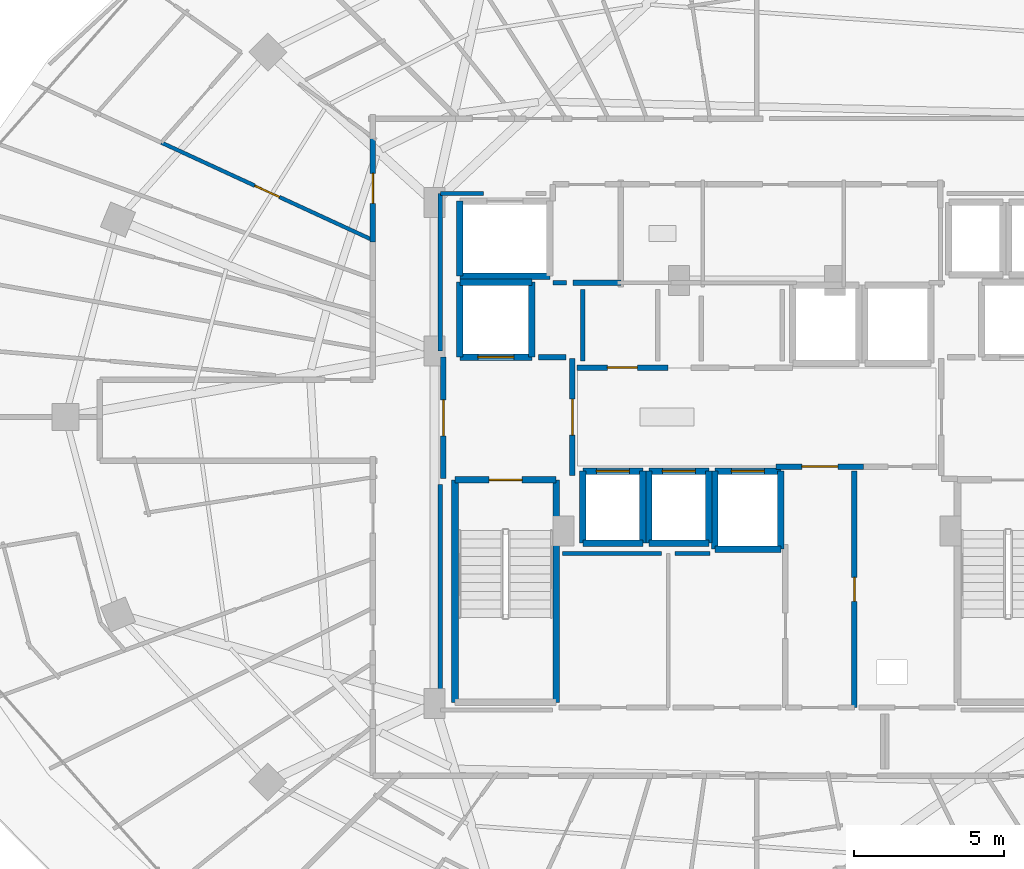
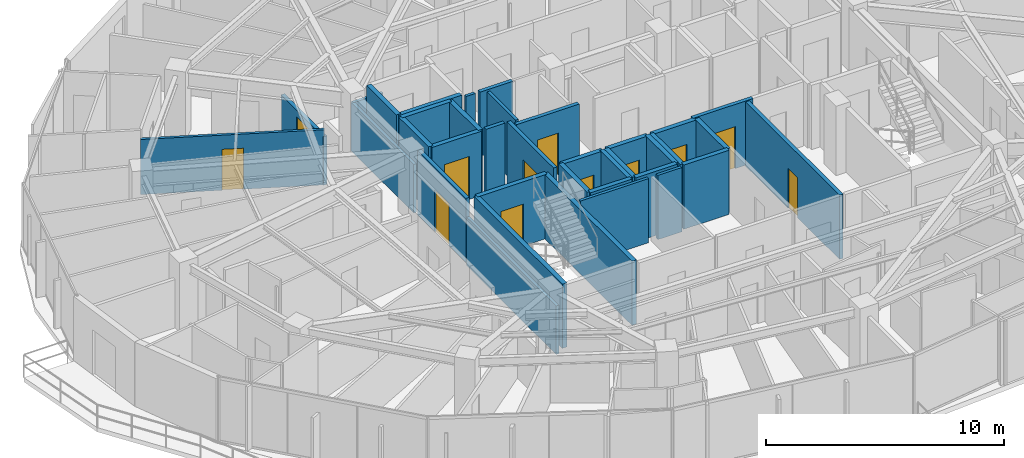
# One storey, part 26 of 33: 37 walls, 12 doors, 12 openings.
"""IFC4 building model written with IfcOpenShell, lengths in metres."""

from ifc_helpers import new_model, si_unit, direction, frame, frame_2d, origin, place, context, subcontext, project, spatial, rectangle, extrude, material, layer, layer_set, type_object, element, fill, save


model = new_model("IFC4")

# Units and contexts
model_context = context("Model", 3, precision=1e-05, world=origin(), true_north=direction((0.0, 1.0)))
body_context = subcontext(model_context, "Body", "Model", "MODEL_VIEW")
ifc_project = project(units=[si_unit("LENGTHUNIT", "METRE"), si_unit("AREAUNIT", "SQUARE_METRE"), si_unit("VOLUMEUNIT", "CUBIC_METRE"), si_unit("PLANEANGLEUNIT", "RADIAN"), si_unit("MASSUNIT", "GRAM", prefix="KILO")], contexts=[model_context])

# Site, building, storey
site_placement = place(None, origin())
site = spatial("IfcSite", under=ifc_project, at=site_placement, CompositionType="ELEMENT")
building_placement = place(site_placement, origin())
building = spatial("IfcBuilding", under=site, at=building_placement, Name="Vorneva Point Tower", CompositionType="ELEMENT")
storey_placement = place(building_placement, frame((0.0, 0.0, 203.64990234375)))
storey = spatial("IfcBuildingStorey", under=building, at=storey_placement, Name="L55", CompositionType="ELEMENT", Elevation=203.64990234375)

# Wall, opening, door
ifc_material_1 = material(Name="Concrete B60 (C50/60)", Category="concrete")
ifc_layer_1 = layer(ifc_material_1, 0.35009765625)
ifc_layer_set_1 = layer_set([ifc_layer_1], Name="Concrete B60 (C50/60)")
wall_type_1 = type_object("IfcWallType", Name="WL-CORE-350", PredefinedType="SHEAR", material=ifc_layer_set_1)
wall_1_placement = place(storey_placement, frame((28.10009765625, 28.0, 0.0), z_axis=(0.0, 0.0, 1.0), x_axis=(1.0, 0.0, 0.0)))
wall_1 = element("IfcWall", 1, at=wall_1_placement, inside=storey, type_object=wall_type_1, Name="L55 Lift FFL1 Shaft Wall -Y", PredefinedType="SHEAR", context=body_context, shape_type="SweptSolid", body=[
    extrude(rectangle(XDim=2.39990234375, YDim=0.219970703125, at=frame_2d((1.199951171875, 0.0))), origin(), (0.0, 0.0, 1.0), 3.2900390625),
])
opening_1_placement = place(wall_1_placement, frame((0.60009765625, 0.0, 0.0)))
opening_1 = element("IfcOpeningElement", 2, at=opening_1_placement, cuts=wall_1, Name="Opening LD-02", PredefinedType="OPENING", context=body_context, shape_type="SweptSolid", body=[
    extrude(rectangle(XDim=1.199951171875, YDim=2.199951171875, at=frame_2d((0.60009765625, 1.10009765625))), frame((0.0, 0.125, 0.0), z_axis=(0.0, -1.0, 0.0), x_axis=(1.0, 0.0, 0.0)), (0.0, 0.0, 1.0), 0.249755859375),
])
ifc_material_2 = material(Name="Brushed stainless steel S304", Category="steel")
door_type_1 = type_object("IfcDoorType", Name="LD-FIRE-1200", OperationType="SLIDING_TO_LEFT", PredefinedType="DOOR", material=ifc_material_2)
door_1_placement = place(opening_1_placement, origin())
door_1 = element("IfcDoor", 3, at=door_1_placement, inside=storey, type_object=door_type_1, Name="L55 Lift FFL1 Sliding Landing Door", OperationType="SLIDING_TO_LEFT", OverallHeight=2.199951171875, OverallWidth=1.199951171875, PredefinedType="DOOR", context=body_context, shape_type="SweptSolid", body=[
    extrude(rectangle(XDim=1.199951171875, YDim=2.199951171875, at=frame_2d((0.60009765625, 1.10009765625))), frame((0.0, 0.02490234375, 0.0), z_axis=(0.0, -1.0, 0.0), x_axis=(1.0, 0.0, 0.0)), (0.0, 0.0, 1.0), 0.050048828125),
])
fill(opening_1, door_1)

# Walls
wall_2_placement = place(storey_placement, frame((30.5, 28.0, 0.0), z_axis=(0.0, 0.0, 1.0), x_axis=(0.0, 1.0, 0.0)))
element("IfcWall", 4, at=wall_2_placement, inside=storey, type_object=wall_type_1, Name="L55 Lift FFL1 Shaft Wall +X", PredefinedType="SHEAR", context=body_context, shape_type="SweptSolid", body=[
    extrude(rectangle(XDim=2.5, YDim=0.219970703125, at=frame_2d((1.25, 0.0))), origin(), (0.0, 0.0, 1.0), 3.2900390625),
])
wall_3_placement = place(storey_placement, frame((30.5, 30.5, 0.0), z_axis=(0.0, 0.0, 1.0), x_axis=(-1.0, 0.0, 0.0)))
element("IfcWall", 5, at=wall_3_placement, inside=storey, type_object=wall_type_1, Name="L55 Lift FFL1 Shaft Wall +Y", PredefinedType="SHEAR", context=body_context, shape_type="SweptSolid", body=[
    extrude(rectangle(XDim=2.39990234375, YDim=0.219970703125, at=frame_2d((1.199951171875, 0.0))), origin(), (0.0, 0.0, 1.0), 3.2900390625),
])
wall_4_placement = place(storey_placement, frame((28.10009765625, 30.5, 0.0), z_axis=(0.0, 0.0, 1.0), x_axis=(0.0, -1.0, 0.0)))
element("IfcWall", 6, at=wall_4_placement, inside=storey, type_object=wall_type_1, Name="L55 Lift FFL1 Shaft Wall -X", PredefinedType="SHEAR", context=body_context, shape_type="SweptSolid", body=[
    extrude(rectangle(XDim=2.5, YDim=0.219970703125, at=frame_2d((1.25, 0.0))), origin(), (0.0, 0.0, 1.0), 3.2900390625),
])

# Wall, opening, door
ifc_material_3 = material(Name="Fire-rated acoustic gypsum stud partition", Category="gypsum")
ifc_layer_2 = layer(ifc_material_3, 0.125)
ifc_layer_set_2 = layer_set([ifc_layer_2], Name="Fire-rated acoustic gypsum stud partition")
wall_type_2 = type_object("IfcWallType", Name="WL-PART-125", PredefinedType="PARTITIONING", material=ifc_layer_set_2)
wall_5_placement = place(storey_placement, frame((18.15185546875, 35.14990234375, 0.0), z_axis=(0.0, 0.0, 1.0), x_axis=(0.908152637685, -0.418639208227, 0.0)))
wall_5 = element("IfcWall", 7, at=wall_5_placement, inside=storey, type_object=wall_type_2, Name="L55 Interior Partition 094", PredefinedType="PARTITIONING", context=body_context, shape_type="SweptSolid", body=[
    extrude(rectangle(XDim=7.760986328125, YDim=0.125, at=frame_2d((3.88037109375, 0.0))), origin(), (0.0, 0.0, 1.0), 2.82421875),
])
opening_2_placement = place(wall_5_placement, frame((3.430419921875, 0.0, 0.0)))
opening_2 = element("IfcOpeningElement", 8, at=opening_2_placement, cuts=wall_5, Name="Opening ID-01", PredefinedType="OPENING", context=body_context, shape_type="SweptSolid", body=[
    extrude(rectangle(XDim=0.89990234375, YDim=2.10009765625, at=frame_2d((0.449951171875, 1.050048828125))), frame((0.0, 0.077392578125, 0.0), z_axis=(0.0, -1.0, 0.0), x_axis=(1.0, 0.0, 0.0)), (0.0, 0.0, 1.0), 0.15478515625),
])
ifc_material_4 = material(Name="Engineered oak fire-rated door leaf", Category="wood")
door_type_2 = type_object("IfcDoorType", Name="DR-ROOM-900", OperationType="NOTDEFINED", PredefinedType="DOOR", material=ifc_material_4)
door_2_placement = place(opening_2_placement, origin())
door_2 = element("IfcDoor", 9, at=door_2_placement, inside=storey, type_object=door_type_2, Name="L55 Door Living and Dining Room L55-02 / Master Bedroom L55-02.1", OperationType="SINGLE_SWING_LEFT", OverallHeight=2.10009765625, OverallWidth=0.89990234375, PredefinedType="DOOR", context=body_context, shape_type="SweptSolid", body=[
    extrude(rectangle(XDim=0.89990234375, YDim=2.10009765625, at=frame_2d((0.449951171875, 1.050048828125))), frame((0.0, 0.02490234375, 0.0), z_axis=(0.0, -1.0, 0.0), x_axis=(1.0, 0.0, 0.0)), (0.0, 0.0, 1.0), 0.050048828125),
])
fill(opening_2, door_2)

# Walls
ifc_layer_3 = layer(ifc_material_3, 0.139892578125)
ifc_layer_set_3 = layer_set([ifc_layer_3], Name="Fire-rated acoustic gypsum stud partition")
wall_type_3 = type_object("IfcWallType", Name="WL-PART-140", PredefinedType="PARTITIONING", material=ifc_layer_set_3)
wall_6_placement = place(storey_placement, frame((31.199951171875, 30.47998046875, 0.0), z_axis=(0.0, 0.0, 1.0), x_axis=(1.0, 0.0, 0.0)))
element("IfcWall", 10, at=wall_6_placement, inside=storey, type_object=wall_type_3, Name="L55 Interior Closure Partition 154", PredefinedType="PARTITIONING", context=body_context, shape_type="SweptSolid", body=[
    extrude(rectangle(XDim=0.449951171875, YDim=0.139892578125, at=frame_2d((0.22509765625, 0.0))), origin(), (0.0, 0.0, 1.0), 3.2900390625),
])
wall_7_placement = place(storey_placement, frame((34.830078125, 21.449951171875, 0.0), z_axis=(0.0, 0.0, 1.0), x_axis=(-1.0, 0.0, 0.0)))
element("IfcWall", 11, at=wall_7_placement, inside=storey, type_object=wall_type_3, Name="L55 Interior Closure Partition 158", PredefinedType="PARTITIONING", context=body_context, shape_type="SweptSolid", body=[
    extrude(rectangle(XDim=3.300048828125, YDim=0.139892578125, at=frame_2d((1.64990234375, 0.0))), origin(), (0.0, 0.0, 1.0), 3.2900390625),
])
wall_8_placement = place(storey_placement, frame((36.43896484375, 21.449951171875, 0.0), z_axis=(0.0, 0.0, 1.0), x_axis=(-1.0, 0.0, 0.0)))
element("IfcWall", 12, at=wall_8_placement, inside=storey, type_object=wall_type_3, Name="L55 Interior Closure Partition 159", PredefinedType="PARTITIONING", context=body_context, shape_type="SweptSolid", body=[
    extrude(rectangle(XDim=1.158935546875, YDim=0.139892578125, at=frame_2d((0.57958984375, 0.0))), origin(), (0.0, 0.0, 1.0), 3.2900390625),
])
wall_9_placement = place(storey_placement, frame((32.199951171875, 30.260009765625, 0.0), z_axis=(0.0, 0.0, 1.0), x_axis=(0.0, -1.0, 0.0)))
element("IfcWall", 13, at=wall_9_placement, inside=storey, type_object=wall_type_3, Name="L55 Interior Closure Partition 160", PredefinedType="PARTITIONING", context=body_context, shape_type="SweptSolid", body=[
    extrude(rectangle(XDim=2.389892578125, YDim=0.139892578125, at=frame_2d((1.19482421875, 0.0))), origin(), (0.0, 0.0, 1.0), 3.2900390625),
])
wall_10_placement = place(storey_placement, frame((28.89404296875, 33.449951171875, 0.0), z_axis=(0.0, 0.0, 1.0), x_axis=(-1.0, 0.0, 0.0)))
element("IfcWall", 14, at=wall_10_placement, inside=storey, type_object=wall_type_3, Name="L55 Interior Closure Partition 169", PredefinedType="PARTITIONING", context=body_context, shape_type="SweptSolid", body=[
    extrude(rectangle(XDim=1.444091796875, YDim=0.139892578125, at=frame_2d((0.72216796875, 0.0))), origin(), (0.0, 0.0, 1.0), 2.482177734375),
])
wall_11_placement = place(storey_placement, frame((27.449951171875, 33.449951171875, 0.0), z_axis=(0.0, 0.0, 1.0), x_axis=(0.0, -1.0, 0.0)))
element("IfcWall", 15, at=wall_11_placement, inside=storey, type_object=wall_type_3, Name="L55 Interior Closure Partition 170", PredefinedType="PARTITIONING", context=body_context, shape_type="SweptSolid", body=[
    extrude(rectangle(XDim=5.25390625, YDim=0.139892578125, at=frame_2d((2.626953125, 0.0))), origin(), (0.0, 0.0, 1.0), 2.482177734375),
])
wall_12_placement = place(storey_placement, frame((27.449951171875, 23.75390625, 0.0), z_axis=(0.0, 0.0, 1.0), x_axis=(0.0, -1.0, 0.0)))
element("IfcWall", 16, at=wall_12_placement, inside=storey, type_object=wall_type_3, Name="L55 Interior Closure Partition 171", PredefinedType="PARTITIONING", context=body_context, shape_type="SweptSolid", body=[
    extrude(rectangle(XDim=7.513916015625, YDim=0.139892578125, at=frame_2d((3.7568359375, 0.0))), origin(), (0.0, 0.0, 1.0), 2.482177734375),
])

# Wall, opening, door
ifc_material_5 = material(Name="Autoclaved aerated concrete blockwork", Category="masonry")
ifc_layer_4 = layer(ifc_material_5, 0.179931640625)
ifc_layer_set_4 = layer_set([ifc_layer_4], Name="Autoclaved aerated concrete blockwork")
wall_type_4 = type_object("IfcWallType", Name="WL-PART-180", PredefinedType="PARTITIONING", material=ifc_layer_set_4)
wall_13_placement = place(storey_placement, frame((31.85009765625, 24.044921875, 0.0), z_axis=(0.0, 0.0, 1.0), x_axis=(0.0, 1.0, 0.0)))
wall_13 = element("IfcWall", 17, at=wall_13_placement, inside=storey, type_object=wall_type_4, Name="L55 Interior Partition 001", PredefinedType="PARTITIONING", context=body_context, shape_type="SweptSolid", body=[
    extrude(rectangle(XDim=3.91015625, YDim=0.179931640625, at=frame_2d((1.955078125, 0.0))), origin(), (0.0, 0.0, 1.0), 3.2900390625),
])
opening_3_placement = place(wall_13_placement, frame((1.35498046875, 0.0, 0.0)))
opening_3 = element("IfcOpeningElement", 18, at=opening_3_placement, cuts=wall_13, Name="Opening FD-02", PredefinedType="OPENING", context=body_context, shape_type="SweptSolid", body=[
    extrude(rectangle(XDim=1.199951171875, YDim=2.14990234375, at=frame_2d((0.60009765625, 1.074951171875))), frame((0.0, 0.10498046875, 0.0), z_axis=(0.0, -1.0, 0.0), x_axis=(1.0, 0.0, 0.0)), (0.0, 0.0, 1.0), 0.209716796875),
])
ifc_material_6 = material(Name="Fire-rated powder-coated steel", Category="steel")
door_type_3 = type_object("IfcDoorType", Name="DR-FFL-1200", OperationType="NOTDEFINED", PredefinedType="DOOR", material=ifc_material_6)
door_3_placement = place(opening_3_placement, origin())
door_3 = element("IfcDoor", 19, at=door_3_placement, inside=storey, type_object=door_type_3, Name="L55 Door West Firefighting Lobby / Central Lift Lobby", OperationType="SINGLE_SWING_LEFT", OverallHeight=2.14990234375, OverallWidth=1.199951171875, PredefinedType="DOOR", context=body_context, shape_type="SweptSolid", body=[
    extrude(rectangle(XDim=1.199951171875, YDim=2.14990234375, at=frame_2d((0.60009765625, 1.074951171875))), frame((0.0, 0.02490234375, 0.0), z_axis=(0.0, -1.0, 0.0), x_axis=(1.0, 0.0, 0.0)), (0.0, 0.0, 1.0), 0.050048828125),
])
fill(opening_3, door_3)

wall_14_placement = place(storey_placement, frame((27.550048828125, 28.0, 0.0), z_axis=(0.0, 0.0, 1.0), x_axis=(0.0, -1.0, 0.0)))
wall_14 = element("IfcWall", 20, at=wall_14_placement, inside=storey, type_object=wall_type_4, Name="L55 Interior Partition 002", PredefinedType="PARTITIONING", context=body_context, shape_type="SweptSolid", body=[
    extrude(rectangle(XDim=4.050048828125, YDim=0.179931640625, at=frame_2d((2.02490234375, 0.0))), origin(), (0.0, 0.0, 1.0), 3.2900390625),
])
opening_4_placement = place(wall_14_placement, frame((1.425048828125, 0.0, 0.0)))
opening_4 = element("IfcOpeningElement", 21, at=opening_4_placement, cuts=wall_14, Name="Opening FD-02", PredefinedType="OPENING", context=body_context, shape_type="SweptSolid", body=[
    extrude(rectangle(XDim=1.199951171875, YDim=2.14990234375, at=frame_2d((0.60009765625, 1.074951171875))), frame((0.0, 0.10498046875, 0.0), z_axis=(0.0, -1.0, 0.0), x_axis=(1.0, 0.0, 0.0)), (0.0, 0.0, 1.0), 0.209716796875),
])
door_4_placement = place(opening_4_placement, origin())
door_4 = element("IfcDoor", 22, at=door_4_placement, inside=storey, type_object=door_type_3, Name="L55 Door West Firefighting Lobby / L55 Circulation Corridor", OperationType="SINGLE_SWING_RIGHT", OverallHeight=2.14990234375, OverallWidth=1.199951171875, PredefinedType="DOOR", context=body_context, shape_type="SweptSolid", body=[
    extrude(rectangle(XDim=1.199951171875, YDim=2.14990234375, at=frame_2d((0.60009765625, 1.074951171875))), frame((0.0, 0.02490234375, 0.0), z_axis=(0.0, -1.0, 0.0), x_axis=(1.0, 0.0, 0.0)), (0.0, 0.0, 1.0), 0.050048828125),
])
fill(opening_4, door_4)

# Wall
wall_15_placement = place(storey_placement, frame((31.8701171875, 30.47998046875, 0.0), z_axis=(0.0, 0.0, 1.0), x_axis=(1.0, 0.0, 0.0)))
element("IfcWall", 23, at=wall_15_placement, inside=storey, type_object=wall_type_4, Name="L55 Interior Partition 007", PredefinedType="PARTITIONING", context=body_context, shape_type="SweptSolid", body=[
    extrude(rectangle(XDim=1.599853515625, YDim=0.179931640625, at=frame_2d((0.7998046875, 0.0))), origin(), (0.0, 0.0, 1.0), 3.2900390625),
])

# Wall, opening, door
wall_16_placement = place(storey_placement, frame((38.64501953125, 24.35009765625, 0.0), z_axis=(0.0, 0.0, 1.0), x_axis=(1.0, 0.0, 0.0)))
wall_16 = element("IfcWall", 24, at=wall_16_placement, inside=storey, type_object=wall_type_4, Name="L55 Interior Partition 010", PredefinedType="PARTITIONING", context=body_context, shape_type="SweptSolid", body=[
    extrude(rectangle(XDim=2.909912109375, YDim=0.179931640625, at=frame_2d((1.455078125, 0.0))), origin(), (0.0, 0.0, 1.0), 3.2900390625),
])
opening_5_placement = place(wall_16_placement, frame((0.85498046875, 0.0, 0.0)))
opening_5 = element("IfcOpeningElement", 25, at=opening_5_placement, cuts=wall_16, Name="Opening FD-02", PredefinedType="OPENING", context=body_context, shape_type="SweptSolid", body=[
    extrude(rectangle(XDim=1.199951171875, YDim=2.14990234375, at=frame_2d((0.60009765625, 1.074951171875))), frame((0.0, 0.10498046875, 0.0), z_axis=(0.0, -1.0, 0.0), x_axis=(1.0, 0.0, 0.0)), (0.0, 0.0, 1.0), 0.209716796875),
])
door_5_placement = place(opening_5_placement, origin())
door_5 = element("IfcDoor", 26, at=door_5_placement, inside=storey, type_object=door_type_3, Name="L55 Door Central Lift Lobby / Core Service Lobby", OperationType="SINGLE_SWING_RIGHT", OverallHeight=2.14990234375, OverallWidth=1.199951171875, PredefinedType="DOOR", context=body_context, shape_type="SweptSolid", body=[
    extrude(rectangle(XDim=1.199951171875, YDim=2.14990234375, at=frame_2d((0.60009765625, 1.074951171875))), frame((0.0, 0.02490234375, 0.0), z_axis=(0.0, -1.0, 0.0), x_axis=(1.0, 0.0, 0.0)), (0.0, 0.0, 1.0), 0.050048828125),
])
fill(opening_5, door_5)

wall_17_placement = place(storey_placement, frame((35.0400390625, 27.64990234375, 0.0), z_axis=(0.0, 0.0, 1.0), x_axis=(-1.0, 0.0, 0.0)))
wall_17 = element("IfcWall", 27, at=wall_17_placement, inside=storey, type_object=wall_type_4, Name="L55 Interior Partition 012", PredefinedType="PARTITIONING", context=body_context, shape_type="SweptSolid", body=[
    extrude(rectangle(XDim=3.0400390625, YDim=0.179931640625, at=frame_2d((1.52001953125, 0.0))), origin(), (0.0, 0.0, 1.0), 3.2900390625),
])
opening_6_placement = place(wall_17_placement, frame((1.02001953125, 0.0, 0.0)))
opening_6 = element("IfcOpeningElement", 28, at=opening_6_placement, cuts=wall_17, Name="Opening UD-01", PredefinedType="OPENING", context=body_context, shape_type="SweptSolid", body=[
    extrude(rectangle(XDim=1.0, YDim=2.14990234375, at=frame_2d((0.5, 1.074951171875))), frame((0.0, 0.10498046875, 0.0), z_axis=(0.0, -1.0, 0.0), x_axis=(1.0, 0.0, 0.0)), (0.0, 0.0, 1.0), 0.209716796875),
])
door_type_4 = type_object("IfcDoorType", Name="DR-UNIT-1000", OperationType="NOTDEFINED", PredefinedType="DOOR", material=ifc_material_4)
door_6_placement = place(opening_6_placement, origin())
door_6 = element("IfcDoor", 29, at=door_6_placement, inside=storey, type_object=door_type_4, Name="L55 Door Central Lift Lobby / Reclaimed Core Lounge", OperationType="SINGLE_SWING_RIGHT", OverallHeight=2.14990234375, OverallWidth=1.0, PredefinedType="DOOR", context=body_context, shape_type="SweptSolid", body=[
    extrude(rectangle(XDim=1.0, YDim=2.14990234375, at=frame_2d((0.5, 1.074951171875))), frame((0.0, 0.02490234375, 0.0), z_axis=(0.0, -1.0, 0.0), x_axis=(1.0, 0.0, 0.0)), (0.0, 0.0, 1.0), 0.050048828125),
])
fill(opening_6, door_6)

wall_18_placement = place(storey_placement, frame((41.25, 16.320068359375, 0.0), z_axis=(0.0, 0.0, 1.0), x_axis=(0.0, 1.0, 0.0)))
wall_18 = element("IfcWall", 30, at=wall_18_placement, inside=storey, type_object=wall_type_4, Name="L55 Interior Partition 014", PredefinedType="PARTITIONING", context=body_context, shape_type="SweptSolid", body=[
    extrude(rectangle(XDim=7.8798828125, YDim=0.179931640625, at=frame_2d((3.93994140625, 0.0))), origin(), (0.0, 0.0, 1.0), 3.2900390625),
])
opening_7_placement = place(wall_18_placement, frame((3.5400390625, 0.0, 0.0)))
opening_7 = element("IfcOpeningElement", 31, at=opening_7_placement, cuts=wall_18, Name="Opening RD-01", PredefinedType="OPENING", context=body_context, shape_type="SweptSolid", body=[
    extrude(rectangle(XDim=0.800048828125, YDim=2.050048828125, at=frame_2d((0.39990234375, 1.02490234375))), frame((0.0, 0.10498046875, 0.0), z_axis=(0.0, -1.0, 0.0), x_axis=(1.0, 0.0, 0.0)), (0.0, 0.0, 1.0), 0.209716796875),
])
door_type_5 = type_object("IfcDoorType", Name="DR-RSR-800", OperationType="SINGLE_SWING_LEFT", PredefinedType="DOOR", material=ifc_material_6)
door_7_placement = place(opening_7_placement, origin())
door_7 = element("IfcDoor", 32, at=door_7_placement, inside=storey, type_object=door_type_5, Name="L55 Door Core Service Lobby / Electrical Riser", OperationType="SINGLE_SWING_RIGHT", OverallHeight=2.050048828125, OverallWidth=0.800048828125, PredefinedType="DOOR", context=body_context, shape_type="SweptSolid", body=[
    extrude(rectangle(XDim=0.800048828125, YDim=2.050048828125, at=frame_2d((0.39990234375, 1.02490234375))), frame((0.0, 0.02490234375, 0.0), z_axis=(0.0, -1.0, 0.0), x_axis=(1.0, 0.0, 0.0)), (0.0, 0.0, 1.0), 0.050048828125),
])
fill(opening_7, door_7)

wall_19_placement = place(storey_placement, frame((25.199951171875, 35.404052734375, 0.0), z_axis=(0.0, 0.0, 1.0), x_axis=(0.0, -1.0, 0.0)))
wall_19 = element("IfcWall", 33, at=wall_19_placement, inside=storey, type_object=wall_type_4, Name="L55 Interior Partition 035", PredefinedType="PARTITIONING", context=body_context, shape_type="SweptSolid", body=[
    extrude(rectangle(XDim=3.56298828125, YDim=0.179931640625, at=frame_2d((1.781494140625, 0.0))), origin(), (0.0, 0.0, 1.0), 2.482177734375),
])
opening_8_placement = place(wall_19_placement, frame((1.281494140625, 0.0, 0.0)))
opening_8 = element("IfcOpeningElement", 34, at=opening_8_placement, cuts=wall_19, Name="Opening UD-01", PredefinedType="OPENING", context=body_context, shape_type="SweptSolid", body=[
    extrude(rectangle(XDim=1.0, YDim=2.14990234375, at=frame_2d((0.5, 1.074951171875))), frame((0.0, 0.10498046875, 0.0), z_axis=(0.0, -1.0, 0.0), x_axis=(1.0, 0.0, 0.0)), (0.0, 0.0, 1.0), 0.209716796875),
])
door_8_placement = place(opening_8_placement, origin())
door_8 = element("IfcDoor", 35, at=door_8_placement, inside=storey, type_object=door_type_4, Name="L55 Door L55 Circulation Corridor / Living and Dining Room L55-02", OperationType="SINGLE_SWING_RIGHT", OverallHeight=2.14990234375, OverallWidth=1.0, PredefinedType="DOOR", context=body_context, shape_type="SweptSolid", body=[
    extrude(rectangle(XDim=1.0, YDim=2.14990234375, at=frame_2d((0.5, 1.074951171875))), frame((0.0, 0.02490234375, 0.0), z_axis=(0.0, -1.0, 0.0), x_axis=(1.0, 0.0, 0.0)), (0.0, 0.0, 1.0), 0.050048828125),
])
fill(opening_8, door_8)

# Wall
wall_20_placement = place(storey_placement, frame((31.635009765625, 28.0, 0.0), z_axis=(0.0, 0.0, 1.0), x_axis=(-1.0, 0.0, 0.0)))
element("IfcWall", 36, at=wall_20_placement, inside=storey, type_object=wall_type_4, Name="L55 Interior Closure Partition 152", PredefinedType="PARTITIONING", context=body_context, shape_type="SweptSolid", body=[
    extrude(rectangle(XDim=0.9150390625, YDim=0.179931640625, at=frame_2d((0.45751953125, 0.0))), origin(), (0.0, 0.0, 1.0), 3.2900390625),
])

# Wall, opening, door
ifc_material_7 = material(Name="Concrete B50 (C40/50)", Category="concrete")
ifc_layer_5 = layer(ifc_material_7, 0.219970703125)
ifc_layer_set_5 = layer_set([ifc_layer_5], Name="Concrete B50 (C40/50)")
wall_type_5 = type_object("IfcWallType", Name="WL-SHFT-220", PredefinedType="SOLIDWALL", material=ifc_layer_set_5)
wall_21_placement = place(storey_placement, frame((27.93994140625, 23.909912109375, 0.0), z_axis=(0.0, 0.0, 1.0), x_axis=(1.0, 0.0, 0.0)))
wall_21 = element("IfcWall", 37, at=wall_21_placement, inside=storey, type_object=wall_type_5, Name="L55 Exit Stair ST1 Shaft Wall near", PredefinedType="SOLIDWALL", context=body_context, shape_type="SweptSolid", body=[
    extrude(rectangle(XDim=3.3701171875, YDim=0.219970703125, at=frame_2d((1.68505859375, 0.0))), origin(), (0.0, 0.0, 1.0), 3.2900390625),
])
opening_9_placement = place(wall_21_placement, frame((1.135009765625, 0.0, 0.0)))
opening_9 = element("IfcOpeningElement", 38, at=opening_9_placement, cuts=wall_21, Name="Opening FD-01", PredefinedType="OPENING", context=body_context, shape_type="SweptSolid", body=[
    extrude(rectangle(XDim=1.10009765625, YDim=2.14990234375, at=frame_2d((0.550048828125, 1.074951171875))), frame((0.0, 0.125, 0.0), z_axis=(0.0, -1.0, 0.0), x_axis=(1.0, 0.0, 0.0)), (0.0, 0.0, 1.0), 0.249755859375),
])
door_type_6 = type_object("IfcDoorType", Name="DR-STAIR-1100", OperationType="NOTDEFINED", PredefinedType="DOOR", material=ifc_material_6)
door_9_placement = place(opening_9_placement, origin())
door_9 = element("IfcDoor", 39, at=door_9_placement, inside=storey, type_object=door_type_6, Name="L55 Exit Stair ST1 Fire Door", OperationType="SINGLE_SWING_LEFT", OverallHeight=2.14990234375, OverallWidth=1.10009765625, PredefinedType="DOOR", context=body_context, shape_type="SweptSolid", body=[
    extrude(rectangle(XDim=1.10009765625, YDim=2.14990234375, at=frame_2d((0.550048828125, 1.074951171875))), frame((0.0, 0.02490234375, 0.0), z_axis=(0.0, -1.0, 0.0), x_axis=(1.0, 0.0, 0.0)), (0.0, 0.0, 1.0), 0.050048828125),
])
fill(opening_9, door_9)

# Walls
for number, where, z_axis, x_axis, name in (
    (40, (31.31005859375, 23.909912109375, 0.0), (0.0, 0.0, 1.0), (0.0, -1.0, 0.0), "L55 Exit Stair ST1 Shaft Wall right"),
    (41, (27.93994140625, 16.489990234375, 0.0), (0.0, 0.0, 1.0), (0.0, 1.0, 0.0), "L55 Exit Stair ST1 Shaft Wall left"),
):
    element("IfcWall", number, at=place(storey_placement, frame(where, z_axis=z_axis, x_axis=x_axis)), inside=storey, type_object=wall_type_5, Name=name, PredefinedType="SOLIDWALL", context=body_context, shape_type="SweptSolid", body=[
        extrude(rectangle(XDim=7.419921875, YDim=0.219970703125, at=frame_2d((3.7099609375, 0.0))), origin(), (0.0, 0.0, 1.0), 3.2900390625),
    ])
wall_22_placement = place(storey_placement, frame((32.199951171875, 21.800048828125, 0.0), z_axis=(0.0, 0.0, 1.0), x_axis=(1.0, 0.0, 0.0)))
element("IfcWall", 42, at=wall_22_placement, inside=storey, type_object=wall_type_5, Name="L55 Lift PL4 Shaft Wall -Y", PredefinedType="SOLIDWALL", context=body_context, shape_type="SweptSolid", body=[
    extrude(rectangle(XDim=2.0, YDim=0.219970703125, at=frame_2d((1.0, 0.0))), origin(), (0.0, 0.0, 1.0), 3.2900390625),
])
wall_23_placement = place(storey_placement, frame((34.199951171875, 21.800048828125, 0.0), z_axis=(0.0, 0.0, 1.0), x_axis=(0.0, 1.0, 0.0)))
element("IfcWall", 43, at=wall_23_placement, inside=storey, type_object=wall_type_5, Name="L55 Lift PL4 Shaft Wall +X", PredefinedType="SOLIDWALL", context=body_context, shape_type="SweptSolid", body=[
    extrude(rectangle(XDim=2.39990234375, YDim=0.219970703125, at=frame_2d((1.199951171875, 0.0))), origin(), (0.0, 0.0, 1.0), 3.2900390625),
])

# Wall, opening, door
wall_24_placement = place(storey_placement, frame((34.199951171875, 24.199951171875, 0.0), z_axis=(0.0, 0.0, 1.0), x_axis=(-1.0, 0.0, 0.0)))
wall_24 = element("IfcWall", 44, at=wall_24_placement, inside=storey, type_object=wall_type_5, Name="L55 Lift PL4 Shaft Wall +Y", PredefinedType="SOLIDWALL", context=body_context, shape_type="SweptSolid", body=[
    extrude(rectangle(XDim=2.0, YDim=0.219970703125, at=frame_2d((1.0, 0.0))), origin(), (0.0, 0.0, 1.0), 3.2900390625),
])
opening_10_placement = place(wall_24_placement, frame((0.449951171875, 0.0, 0.0)))
opening_10 = element("IfcOpeningElement", 45, at=opening_10_placement, cuts=wall_24, Name="Opening LD-01", PredefinedType="OPENING", context=body_context, shape_type="SweptSolid", body=[
    extrude(rectangle(XDim=1.10009765625, YDim=2.199951171875, at=frame_2d((0.550048828125, 1.10009765625))), frame((0.0, 0.125, 0.0), z_axis=(0.0, -1.0, 0.0), x_axis=(1.0, 0.0, 0.0)), (0.0, 0.0, 1.0), 0.249755859375),
])
door_type_7 = type_object("IfcDoorType", Name="LD-PASS-1100", OperationType="SLIDING_TO_LEFT", PredefinedType="DOOR", material=ifc_material_2)
door_10_placement = place(opening_10_placement, origin())
door_10 = element("IfcDoor", 46, at=door_10_placement, inside=storey, type_object=door_type_7, Name="L55 Lift PL4 Sliding Landing Door", OperationType="SLIDING_TO_LEFT", OverallHeight=2.199951171875, OverallWidth=1.10009765625, PredefinedType="DOOR", context=body_context, shape_type="SweptSolid", body=[
    extrude(rectangle(XDim=1.10009765625, YDim=2.199951171875, at=frame_2d((0.550048828125, 1.10009765625))), frame((0.0, 0.02490234375, 0.0), z_axis=(0.0, -1.0, 0.0), x_axis=(1.0, 0.0, 0.0)), (0.0, 0.0, 1.0), 0.050048828125),
])
fill(opening_10, door_10)

# Walls
wall_25_placement = place(storey_placement, frame((32.199951171875, 24.199951171875, 0.0), z_axis=(0.0, 0.0, 1.0), x_axis=(0.0, -1.0, 0.0)))
element("IfcWall", 47, at=wall_25_placement, inside=storey, type_object=wall_type_5, Name="L55 Lift PL4 Shaft Wall -X", PredefinedType="SOLIDWALL", context=body_context, shape_type="SweptSolid", body=[
    extrude(rectangle(XDim=2.39990234375, YDim=0.219970703125, at=frame_2d((1.199951171875, 0.0))), origin(), (0.0, 0.0, 1.0), 3.2900390625),
])
wall_26_placement = place(storey_placement, frame((34.39990234375, 21.800048828125, 0.0), z_axis=(0.0, 0.0, 1.0), x_axis=(1.0, 0.0, 0.0)))
element("IfcWall", 48, at=wall_26_placement, inside=storey, type_object=wall_type_5, Name="L55 Lift PL5 Shaft Wall -Y", PredefinedType="SOLIDWALL", context=body_context, shape_type="SweptSolid", body=[
    extrude(rectangle(XDim=2.0, YDim=0.219970703125, at=frame_2d((1.0, 0.0))), origin(), (0.0, 0.0, 1.0), 3.2900390625),
])
wall_27_placement = place(storey_placement, frame((36.39990234375, 21.800048828125, 0.0), z_axis=(0.0, 0.0, 1.0), x_axis=(0.0, 1.0, 0.0)))
element("IfcWall", 49, at=wall_27_placement, inside=storey, type_object=wall_type_5, Name="L55 Lift PL5 Shaft Wall +X", PredefinedType="SOLIDWALL", context=body_context, shape_type="SweptSolid", body=[
    extrude(rectangle(XDim=2.39990234375, YDim=0.219970703125, at=frame_2d((1.199951171875, 0.0))), origin(), (0.0, 0.0, 1.0), 3.2900390625),
])

# Wall, opening, door
wall_28_placement = place(storey_placement, frame((36.39990234375, 24.199951171875, 0.0), z_axis=(0.0, 0.0, 1.0), x_axis=(-1.0, 0.0, 0.0)))
wall_28 = element("IfcWall", 50, at=wall_28_placement, inside=storey, type_object=wall_type_5, Name="L55 Lift PL5 Shaft Wall +Y", PredefinedType="SOLIDWALL", context=body_context, shape_type="SweptSolid", body=[
    extrude(rectangle(XDim=2.0, YDim=0.219970703125, at=frame_2d((1.0, 0.0))), origin(), (0.0, 0.0, 1.0), 3.2900390625),
])
opening_11_placement = place(wall_28_placement, frame((0.449951171875, 0.0, 0.0)))
opening_11 = element("IfcOpeningElement", 51, at=opening_11_placement, cuts=wall_28, Name="Opening LD-01", PredefinedType="OPENING", context=body_context, shape_type="SweptSolid", body=[
    extrude(rectangle(XDim=1.10009765625, YDim=2.199951171875, at=frame_2d((0.550048828125, 1.10009765625))), frame((0.0, 0.125, 0.0), z_axis=(0.0, -1.0, 0.0), x_axis=(1.0, 0.0, 0.0)), (0.0, 0.0, 1.0), 0.249755859375),
])
door_11_placement = place(opening_11_placement, origin())
door_11 = element("IfcDoor", 52, at=door_11_placement, inside=storey, type_object=door_type_7, Name="L55 Lift PL5 Sliding Landing Door", OperationType="SLIDING_TO_LEFT", OverallHeight=2.199951171875, OverallWidth=1.10009765625, PredefinedType="DOOR", context=body_context, shape_type="SweptSolid", body=[
    extrude(rectangle(XDim=1.10009765625, YDim=2.199951171875, at=frame_2d((0.550048828125, 1.10009765625))), frame((0.0, 0.02490234375, 0.0), z_axis=(0.0, -1.0, 0.0), x_axis=(1.0, 0.0, 0.0)), (0.0, 0.0, 1.0), 0.050048828125),
])
fill(opening_11, door_11)

# Walls
wall_29_placement = place(storey_placement, frame((34.39990234375, 24.199951171875, 0.0), z_axis=(0.0, 0.0, 1.0), x_axis=(0.0, -1.0, 0.0)))
element("IfcWall", 53, at=wall_29_placement, inside=storey, type_object=wall_type_5, Name="L55 Lift PL5 Shaft Wall -X", PredefinedType="SOLIDWALL", context=body_context, shape_type="SweptSolid", body=[
    extrude(rectangle(XDim=2.39990234375, YDim=0.219970703125, at=frame_2d((1.199951171875, 0.0))), origin(), (0.0, 0.0, 1.0), 3.2900390625),
])
wall_30_placement = place(storey_placement, frame((36.60009765625, 21.60009765625, 0.0), z_axis=(0.0, 0.0, 1.0), x_axis=(1.0, 0.0, 0.0)))
element("IfcWall", 54, at=wall_30_placement, inside=storey, type_object=wall_type_5, Name="L55 Lift PL6 Shaft Wall -Y", PredefinedType="SOLIDWALL", context=body_context, shape_type="SweptSolid", body=[
    extrude(rectangle(XDim=2.199951171875, YDim=0.219970703125, at=frame_2d((1.10009765625, 0.0))), origin(), (0.0, 0.0, 1.0), 3.2900390625),
])
wall_31_placement = place(storey_placement, frame((38.800048828125, 21.60009765625, 0.0), z_axis=(0.0, 0.0, 1.0), x_axis=(0.0, 1.0, 0.0)))
element("IfcWall", 55, at=wall_31_placement, inside=storey, type_object=wall_type_5, Name="L55 Lift PL6 Shaft Wall +X", PredefinedType="SOLIDWALL", context=body_context, shape_type="SweptSolid", body=[
    extrude(rectangle(XDim=2.599853515625, YDim=0.219970703125, at=frame_2d((1.2998046875, 0.0))), origin(), (0.0, 0.0, 1.0), 3.2900390625),
])

# Wall, opening, door
wall_32_placement = place(storey_placement, frame((38.800048828125, 24.199951171875, 0.0), z_axis=(0.0, 0.0, 1.0), x_axis=(-1.0, 0.0, 0.0)))
wall_32 = element("IfcWall", 56, at=wall_32_placement, inside=storey, type_object=wall_type_5, Name="L55 Lift PL6 Shaft Wall +Y", PredefinedType="SOLIDWALL", context=body_context, shape_type="SweptSolid", body=[
    extrude(rectangle(XDim=2.199951171875, YDim=0.219970703125, at=frame_2d((1.10009765625, 0.0))), origin(), (0.0, 0.0, 1.0), 3.2900390625),
])
opening_12_placement = place(wall_32_placement, frame((0.550048828125, 0.0, 0.0)))
opening_12 = element("IfcOpeningElement", 57, at=opening_12_placement, cuts=wall_32, Name="Opening LD-01", PredefinedType="OPENING", context=body_context, shape_type="SweptSolid", body=[
    extrude(rectangle(XDim=1.10009765625, YDim=2.199951171875, at=frame_2d((0.550048828125, 1.10009765625))), frame((0.0, 0.125, 0.0), z_axis=(0.0, -1.0, 0.0), x_axis=(1.0, 0.0, 0.0)), (0.0, 0.0, 1.0), 0.249755859375),
])
door_12_placement = place(opening_12_placement, origin())
door_12 = element("IfcDoor", 58, at=door_12_placement, inside=storey, type_object=door_type_7, Name="L55 Lift PL6 Sliding Landing Door", OperationType="SLIDING_TO_LEFT", OverallHeight=2.199951171875, OverallWidth=1.10009765625, PredefinedType="DOOR", context=body_context, shape_type="SweptSolid", body=[
    extrude(rectangle(XDim=1.10009765625, YDim=2.199951171875, at=frame_2d((0.550048828125, 1.10009765625))), frame((0.0, 0.02490234375, 0.0), z_axis=(0.0, -1.0, 0.0), x_axis=(1.0, 0.0, 0.0)), (0.0, 0.0, 1.0), 0.050048828125),
])
fill(opening_12, door_12)

# Walls
wall_33_placement = place(storey_placement, frame((36.60009765625, 24.199951171875, 0.0), z_axis=(0.0, 0.0, 1.0), x_axis=(0.0, -1.0, 0.0)))
element("IfcWall", 59, at=wall_33_placement, inside=storey, type_object=wall_type_5, Name="L55 Lift PL6 Shaft Wall -X", PredefinedType="SOLIDWALL", context=body_context, shape_type="SweptSolid", body=[
    extrude(rectangle(XDim=2.599853515625, YDim=0.219970703125, at=frame_2d((1.2998046875, 0.0))), origin(), (0.0, 0.0, 1.0), 3.2900390625),
])
wall_34_placement = place(storey_placement, frame((28.10009765625, 30.699951171875, 0.0), z_axis=(0.0, 0.0, 1.0), x_axis=(1.0, 0.0, 0.0)))
element("IfcWall", 60, at=wall_34_placement, inside=storey, type_object=wall_type_5, Name="L55 Lift SVL1 Shaft Wall -Y", PredefinedType="SOLIDWALL", context=body_context, shape_type="SweptSolid", body=[
    extrude(rectangle(XDim=3.0, YDim=0.219970703125, at=frame_2d((1.5, 0.0))), origin(), (0.0, 0.0, 1.0), 3.2900390625),
])
wall_35_placement = place(storey_placement, frame((28.10009765625, 33.199951171875, 0.0), z_axis=(0.0, 0.0, 1.0), x_axis=(0.0, -1.0, 0.0)))
element("IfcWall", 61, at=wall_35_placement, inside=storey, type_object=wall_type_5, Name="L55 Lift SVL1 Shaft Wall -X", PredefinedType="SOLIDWALL", context=body_context, shape_type="SweptSolid", body=[
    extrude(rectangle(XDim=2.5, YDim=0.219970703125, at=frame_2d((1.25, 0.0))), origin(), (0.0, 0.0, 1.0), 3.2900390625),
])

save(model, "model.ifc")
